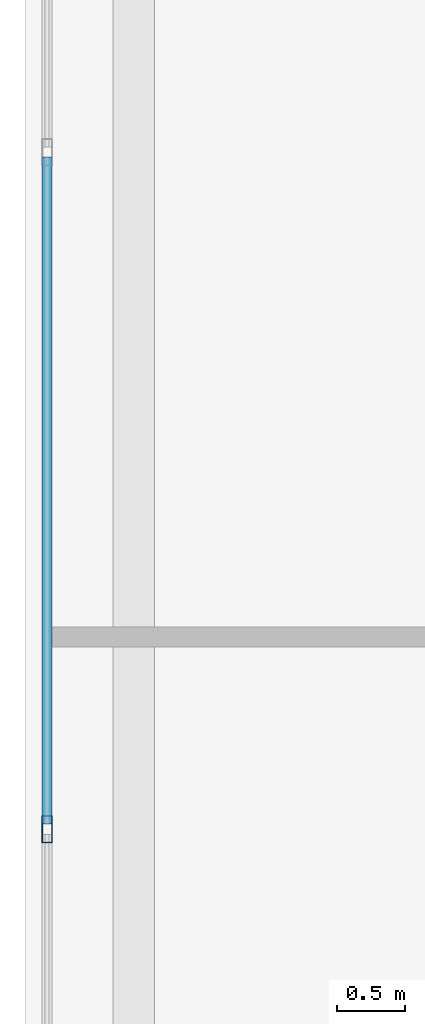
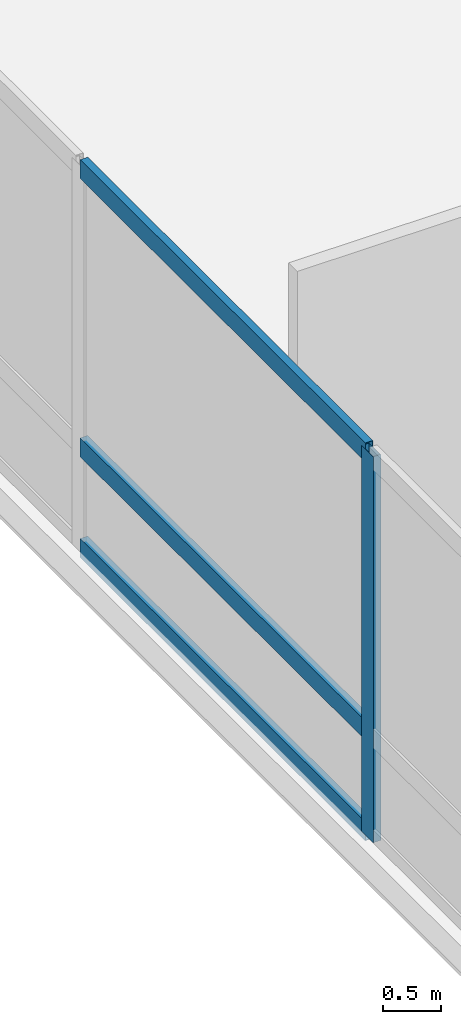
# One storey, part 8 of 40: 4 members, 1 element without a shape of its own.
"""IFC4 building model written with IfcOpenShell, lengths in metres."""

from ifc_helpers import new_model, si_unit, direction, frame, origin, origin_2d, place, context, subcontext, project, spatial, hollow_rectangle, extrude, material, layer, layer_set, material_profile, profile_set, type_object, element, aggregate, save


model = new_model("IFC4")

# Units and contexts
model_context = context("Model", 3, precision=1e-05, world=origin(), true_north=direction((0.0, 1.0)))
body_context = subcontext(model_context, "Body", "Model", "MODEL_VIEW")
ifc_project = project(units=[si_unit("LENGTHUNIT", "METRE"), si_unit("AREAUNIT", "SQUARE_METRE"), si_unit("VOLUMEUNIT", "CUBIC_METRE"), si_unit("PLANEANGLEUNIT", "RADIAN"), si_unit("MASSUNIT", "GRAM", prefix="KILO")], contexts=[model_context])

# Site, building, storey
site_placement = place(None, origin())
site = spatial("IfcSite", under=ifc_project, at=site_placement, CompositionType="ELEMENT")
building_placement = place(site_placement, origin())
building = spatial("IfcBuilding", under=site, at=building_placement, Name="Varnelok Gate Tower", CompositionType="ELEMENT")
storey_placement = place(building_placement, frame((0.0, 0.0, 5.39990234375)))
storey = spatial("IfcBuildingStorey", under=building, at=storey_placement, Name="L01", CompositionType="ELEMENT", Elevation=5.39990234375)

# Curtain wall, members
ifc_material = material(Name="Anodized Aluminum Alloy 6063-T6", Category="aluminium")
ifc_layer = layer(ifc_material, 0.179931640625)
ifc_layer_set = layer_set([ifc_layer], Name="Anodized Aluminum Alloy 6063-T6")
curtain_wall_type = type_object("IfcCurtainWallType", Name="CW1-ARCH-PORTAL", PredefinedType="USERDEFINED", material=ifc_layer_set)
curtain_wall_placement = place(storey_placement, origin())
curtain_wall = element("IfcCurtainWall", 1, at=curtain_wall_placement, inside=storey, type_object=curtain_wall_type, Name="L01 Podium Portal Curtain Wall W", ObjectType="UNITISED CURTAIN WALL", PredefinedType="USERDEFINED")
ifc_material_profile_1 = material_profile(ifc_material, hollow_rectangle(XDim=0.074951171875, YDim=0.199951171875, WallThickness=0.00390625, at=origin_2d()), Name="ALU200X75X4")
ifc_profile_set_1 = profile_set([ifc_material_profile_1], Name="Anodized Aluminum Alloy 6063-T6")
member_type_1 = type_object("IfcMemberType", Name="CW-MULL-200", PredefinedType="MULLION", material=ifc_profile_set_1)
member_1_placement = place(storey_placement, frame((0.159912109375, 25.199951171875, 0.0), z_axis=(0.0, 0.0, 1.0), x_axis=(-1.0, 0.0, 0.0)))
member_1 = element("IfcMember", 2, at=member_1_placement, type_object=member_type_1, Name="CW1 mullion 3", PredefinedType="MULLION", context=body_context, shape_type="SweptSolid", body=[
    extrude(hollow_rectangle(XDim=0.074951171875, YDim=0.199951171875, WallThickness=0.00390625, at=origin_2d()), origin(), (0.0, 0.0, 1.0), 4.070068359375),
])
ifc_material_profile_2 = material_profile(ifc_material, hollow_rectangle(XDim=0.074951171875, YDim=0.199951171875, WallThickness=0.00390625, at=origin_2d()), Name="ALU200X75X4")
ifc_profile_set_2 = profile_set([ifc_material_profile_2], Name="Anodized Aluminum Alloy 6063-T6")
member_type_2 = type_object("IfcMemberType", Name="CW-TRAN-200", PredefinedType="USERDEFINED", material=ifc_profile_set_2)
member_2_placement = place(storey_placement, frame((0.159912109375, 25.237548828125, 0.03759765625), z_axis=(0.0, 1.0, 0.0), x_axis=(-1.0, 0.0, 0.0)))
member_2 = element("IfcMember", 3, at=member_2_placement, type_object=member_type_2, Name="CW1 transom 3.1", ObjectType="TRANSOM", PredefinedType="USERDEFINED", context=body_context, shape_type="SweptSolid", body=[
    extrude(hollow_rectangle(XDim=0.074951171875, YDim=0.199951171875, WallThickness=0.00390625, at=origin_2d()), origin(), (0.0, 0.0, 1.0), 4.925048828125),
])
member_3_placement = place(storey_placement, frame((0.159912109375, 25.237548828125, 1.10009765625), z_axis=(0.0, 1.0, 0.0), x_axis=(-1.0, 0.0, 0.0)))
member_3 = element("IfcMember", 4, at=member_3_placement, type_object=member_type_2, Name="CW1 transom 3.2", ObjectType="TRANSOM", PredefinedType="USERDEFINED", context=body_context, shape_type="SweptSolid", body=[
    extrude(hollow_rectangle(XDim=0.074951171875, YDim=0.199951171875, WallThickness=0.00390625, at=origin_2d()), origin(), (0.0, 0.0, 1.0), 4.925048828125),
])
member_4_placement = place(storey_placement, frame((0.159912109375, 25.237548828125, 4.03271484375), z_axis=(0.0, 1.0, 0.0), x_axis=(-1.0, 0.0, 0.0)))
member_4 = element("IfcMember", 5, at=member_4_placement, type_object=member_type_2, Name="CW1 transom 3.3", ObjectType="TRANSOM", PredefinedType="USERDEFINED", context=body_context, shape_type="SweptSolid", body=[
    extrude(hollow_rectangle(XDim=0.074951171875, YDim=0.199951171875, WallThickness=0.00390625, at=origin_2d()), origin(), (0.0, 0.0, 1.0), 4.925048828125),
])
aggregate(curtain_wall, [member_1, member_2, member_3, member_4])

save(model, "model.ifc")
